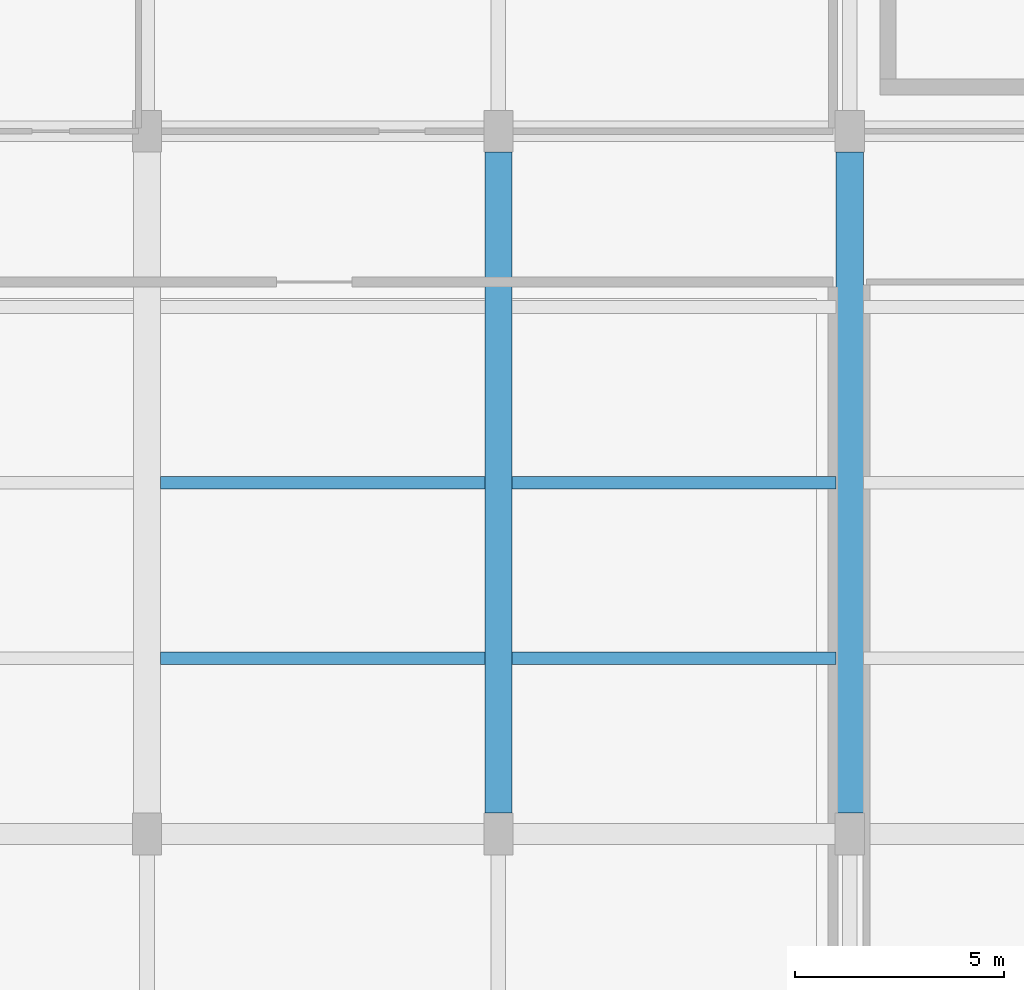
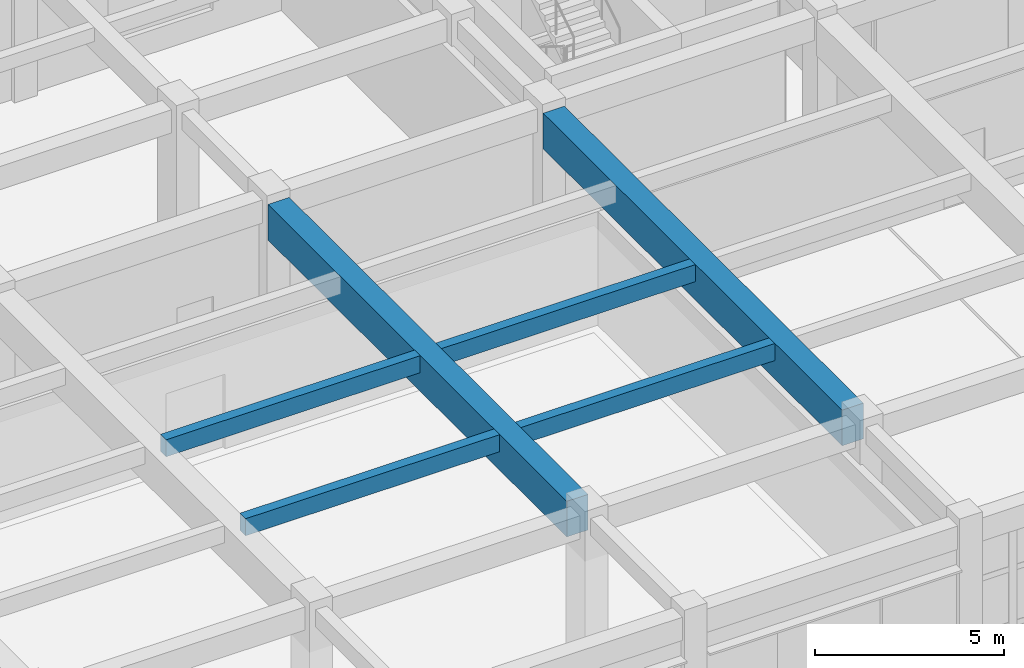
# One storey, part 26 of 106: 6 beams.
"""IFC4 building model written with IfcOpenShell, lengths in metres."""

from ifc_helpers import new_model, si_unit, direction, frame, origin, origin_2d, place, context, subcontext, project, spatial, rectangle, extrude, material, material_profile, profile_set, type_object, element, save


model = new_model("IFC4")

# Units and contexts
model_context = context("Model", 3, precision=1e-05, world=origin(), true_north=direction((0.0, 1.0)))
body_context = subcontext(model_context, "Body", "Model", "MODEL_VIEW")
ifc_project = project(units=[si_unit("LENGTHUNIT", "METRE"), si_unit("AREAUNIT", "SQUARE_METRE"), si_unit("VOLUMEUNIT", "CUBIC_METRE"), si_unit("PLANEANGLEUNIT", "RADIAN"), si_unit("MASSUNIT", "GRAM", prefix="KILO")], contexts=[model_context])

# Site, building, storey
site_placement = place(None, origin())
site = spatial("IfcSite", under=ifc_project, at=site_placement, CompositionType="ELEMENT")
building_placement = place(site_placement, origin())
building = spatial("IfcBuilding", under=site, at=building_placement, Name="Krzemoval Escarpment Law Courts", CompositionType="ELEMENT")
storey_placement = place(building_placement, frame((0.0, 0.0, 5.10009765625)))
storey = spatial("IfcBuildingStorey", under=building, at=storey_placement, Name="L01", CompositionType="ELEMENT", Elevation=5.10009765625)

# Beams
ifc_material_1 = material(Name="Concrete C50/60", Category="concrete")
ifc_material_profile_1 = material_profile(ifc_material_1, rectangle(XDim=0.64990234375, YDim=1.14990234375, at=origin_2d()), Name="PTG 650x1150")
ifc_profile_set_1 = profile_set([ifc_material_profile_1], Name="Concrete C50/60")
beam_type_1 = type_object("IfcBeamType", Name="BM-PTG-650x1150", PredefinedType="BEAM", material=ifc_profile_set_1)
for number, where, z_axis, x_axis, name in (
    (1, (100.800048828125, 5.89990234375, 4.244873046875), (0.0, 1.0, 0.0), (-1.0, 0.0, 0.0), "Beam FG-L01-1489"),
    (2, (109.199951171875, 5.89990234375, 4.244873046875), (0.0, 1.0, 0.0), (-1.0, 0.0, 0.0), "Beam FG-L01-1495"),
):
    element("IfcBeam", number, at=place(storey_placement, frame(where, z_axis=z_axis, x_axis=x_axis)), inside=storey, type_object=beam_type_1, Name=name, PredefinedType="BEAM", context=body_context, shape_type="SweptSolid", body=[
        extrude(rectangle(XDim=0.64990234375, YDim=1.14990234375, at=origin_2d()), origin(), (0.0, 0.0, 1.0), 15.800048828125),
    ])
ifc_material_2 = material(Name="Concrete C40/50", Category="concrete")
ifc_material_profile_2 = material_profile(ifc_material_2, rectangle(XDim=0.300048828125, YDim=0.550048828125, at=origin_2d()), Name="RCB 300x550")
ifc_profile_set_2 = profile_set([ifc_material_profile_2], Name="Concrete C40/50")
beam_type_2 = type_object("IfcBeamType", Name="JST-RC-300x550", PredefinedType="JOIST", material=ifc_profile_set_2)
for number, where, z_axis, x_axis, name in (
    (3, (92.72509765625, 9.60009765625, 4.544921875), (1.0, 0.0, 0.0), (0.0, 1.0, 0.0), "Secondary Joist FJ-L01-1661"),
    (4, (92.72509765625, 13.800048828125, 4.544921875), (1.0, 0.0, 0.0), (0.0, 1.0, 0.0), "Secondary Joist FJ-L01-1662"),
    (5, (101.125, 9.60009765625, 4.544921875), (1.0, 0.0, 0.0), (0.0, 1.0, 0.0), "Secondary Joist FJ-L01-1666"),
    (6, (101.125, 13.800048828125, 4.544921875), (1.0, 0.0, 0.0), (0.0, 1.0, 0.0), "Secondary Joist FJ-L01-1667"),
):
    element("IfcBeam", number, at=place(storey_placement, frame(where, z_axis=z_axis, x_axis=x_axis)), inside=storey, type_object=beam_type_2, Name=name, PredefinedType="JOIST", context=body_context, shape_type="SweptSolid", body=[
        extrude(rectangle(XDim=0.300048828125, YDim=0.550048828125, at=origin_2d()), origin(), (0.0, 0.0, 1.0), 7.75),
    ])

save(model, "model.ifc")
